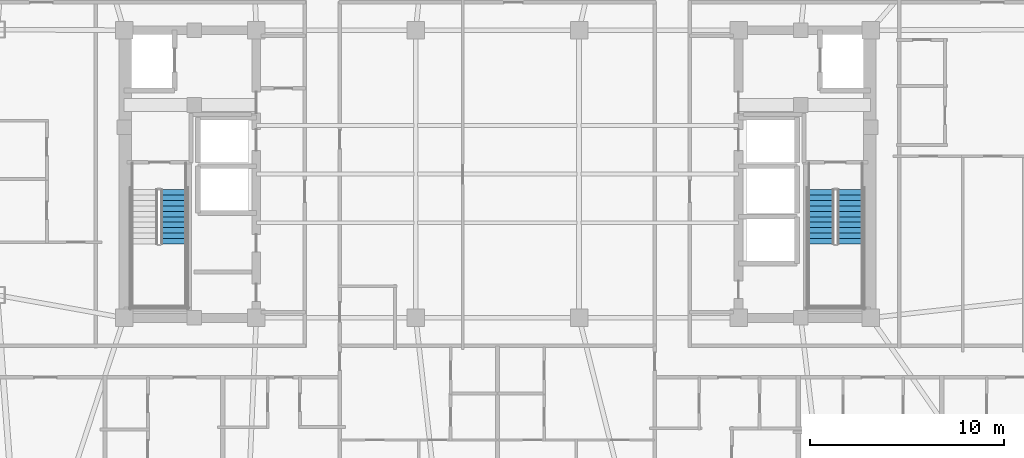
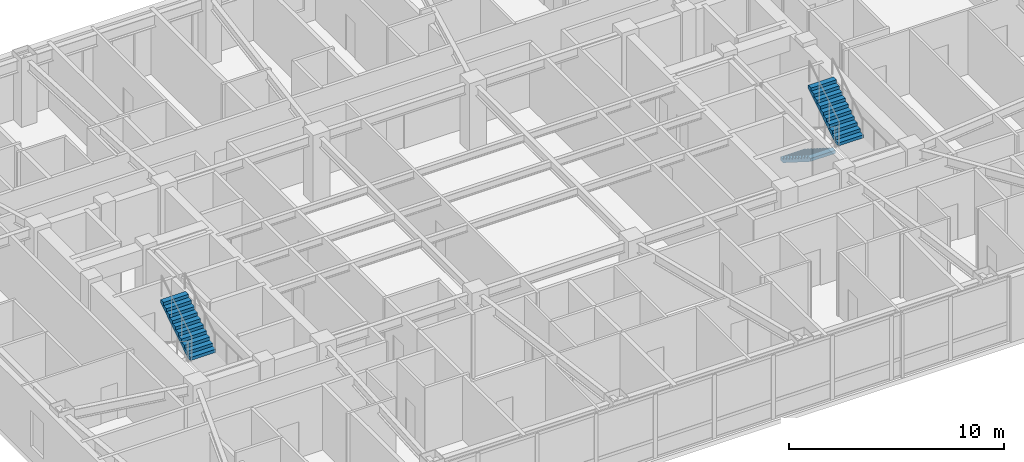
# One storey, part 15 of 17: 3 stair flights, 2 elements without a shape of their own.
"""IFC4 building model written with IfcOpenShell, lengths in metres."""

from ifc_helpers import new_model, si_unit, direction, frame, origin, place, context, subcontext, project, spatial, polyline, outline, extrude, material, type_object, element, aggregate, save


model = new_model("IFC4")

# Units and contexts
model_context = context("Model", 3, precision=1e-05, world=origin(), true_north=direction((0.0, 1.0)))
body_context = subcontext(model_context, "Body", "Model", "MODEL_VIEW")
ifc_project = project(units=[si_unit("LENGTHUNIT", "METRE"), si_unit("AREAUNIT", "SQUARE_METRE"), si_unit("VOLUMEUNIT", "CUBIC_METRE"), si_unit("PLANEANGLEUNIT", "RADIAN"), si_unit("MASSUNIT", "GRAM", prefix="KILO")], contexts=[model_context])

# Site, building, storey
site_placement = place(None, origin())
site = spatial("IfcSite", under=ifc_project, at=site_placement, CompositionType="ELEMENT")
building_placement = place(site_placement, origin())
building = spatial("IfcBuilding", under=site, at=building_placement, Name="Voryun Gate Residences", CompositionType="ELEMENT")
storey_placement = place(building_placement, frame((0.0, 0.0, 204.10009765625)))
storey = spatial("IfcBuildingStorey", under=building, at=storey_placement, Name="L50", CompositionType="ELEMENT", Elevation=204.10009765625)

# Stair, stair flight
ifc_material_1 = material(Name="Concrete C40/50", Category="concrete")
stair_type = type_object("IfcStairType", Name="STR_CORE_DOGLEG_1350", PredefinedType="HALF_TURN_STAIR", material=ifc_material_1)
stair_1_placement = place(storey_placement, origin())
stair_1 = element("IfcStair", 1, at=stair_1_placement, inside=storey, type_object=stair_type, Name="L50 Special Escape Stair ST-W1", PredefinedType="HALF_TURN_STAIR")
ifc_material_2 = material(Name="Concrete C40/50", Category="concrete")
stair_flight_type = type_object("IfcStairFlightType", Name="FLT_CORE_1350", PredefinedType="STRAIGHT", material=ifc_material_2)
stair_flight_1_placement = place(storey_placement, frame((-16.64990234375, -3.60009765625, 1.949951171875), z_axis=(0.0, 0.0, 1.0), x_axis=(0.0, 1.0, 0.0)))
stair_flight_1 = element("IfcStairFlight", 2, at=stair_flight_1_placement, type_object=stair_flight_type, Name="ST-W1 flight 2", NumberOfRisers=11, NumberOfTreads=10, PredefinedType="STRAIGHT", RiserHeight=0.177272727, TreadLength=0.28, context=body_context, shape_type="SweptSolid", body=[
    extrude(outline(polyline([(0.0, 0.0), (0.0, 0.17724609375), (0.280029296875, 0.17724609375), (0.280029296875, 0.3544921875), (0.56005859375, 0.3544921875), (0.56005859375, 0.53173828125), (0.840087890625, 0.53173828125), (0.840087890625, 0.708984375), (1.1201171875, 0.708984375), (1.1201171875, 0.886474609375), (1.39990234375, 0.886474609375), (1.39990234375, 1.063720703125), (1.679931640625, 1.063720703125), (1.679931640625, 1.240966796875), (1.9599609375, 1.240966796875), (1.9599609375, 1.418212890625), (2.239990234375, 1.418212890625), (2.239990234375, 1.595458984375), (2.52001953125, 1.595458984375), (2.52001953125, 1.772705078125), (2.800048828125, 1.772705078125), (2.800048828125, 1.949951171875), (2.800048828125, 1.59521484375), (0.2802734375, 0.0), (0.0, 0.0)])), frame((0.0, 0.675048828125, 0.0), z_axis=(0.0, -1.0, 0.0), x_axis=(1.0, 0.0, 0.0)), (0.0, 0.0, 1.0), 1.35009765625),
])
aggregate(stair_1, [stair_flight_1])

# Stair, stair flights
stair_2_placement = place(storey_placement, origin())
stair_2 = element("IfcStair", 3, at=stair_2_placement, inside=storey, type_object=stair_type, Name="L50 Special Escape Stair ST-E1", PredefinedType="HALF_TURN_STAIR")
stair_flight_2_placement = place(storey_placement, frame((16.64990234375, -0.800048828125, 0.0), z_axis=(0.0, 0.0, 1.0), x_axis=(0.0, -1.0, 0.0)))
stair_flight_2 = element("IfcStairFlight", 4, at=stair_flight_2_placement, type_object=stair_flight_type, Name="ST-E1 flight 1", NumberOfRisers=11, NumberOfTreads=10, PredefinedType="STRAIGHT", RiserHeight=0.177272727, TreadLength=0.28, context=body_context, shape_type="SweptSolid", body=[
    extrude(outline(polyline([(0.0, 0.0), (0.0, 0.17724609375), (0.280029296875, 0.17724609375), (0.280029296875, 0.3544921875), (0.56005859375, 0.3544921875), (0.56005859375, 0.53173828125), (0.840087890625, 0.53173828125), (0.840087890625, 0.708984375), (1.1201171875, 0.708984375), (1.1201171875, 0.886474609375), (1.39990234375, 0.886474609375), (1.39990234375, 1.063720703125), (1.679931640625, 1.063720703125), (1.679931640625, 1.240966796875), (1.9599609375, 1.240966796875), (1.9599609375, 1.418212890625), (2.239990234375, 1.418212890625), (2.239990234375, 1.595458984375), (2.52001953125, 1.595458984375), (2.52001953125, 1.772705078125), (2.800048828125, 1.772705078125), (2.800048828125, 1.949951171875), (2.800048828125, 1.59521484375), (0.2802734375, 0.0), (0.0, 0.0)])), frame((0.0, 0.675048828125, 0.0), z_axis=(0.0, -1.0, 0.0), x_axis=(1.0, 0.0, 0.0)), (0.0, 0.0, 1.0), 1.35009765625),
])
stair_flight_3_placement = place(storey_placement, frame((18.14990234375, -3.60009765625, 1.949951171875), z_axis=(0.0, 0.0, 1.0), x_axis=(0.0, 1.0, 0.0)))
stair_flight_3 = element("IfcStairFlight", 5, at=stair_flight_3_placement, type_object=stair_flight_type, Name="ST-E1 flight 2", NumberOfRisers=11, NumberOfTreads=10, PredefinedType="STRAIGHT", RiserHeight=0.177272727, TreadLength=0.28, context=body_context, shape_type="SweptSolid", body=[
    extrude(outline(polyline([(0.0, 0.0), (0.0, 0.17724609375), (0.280029296875, 0.17724609375), (0.280029296875, 0.3544921875), (0.56005859375, 0.3544921875), (0.56005859375, 0.53173828125), (0.840087890625, 0.53173828125), (0.840087890625, 0.708984375), (1.1201171875, 0.708984375), (1.1201171875, 0.886474609375), (1.39990234375, 0.886474609375), (1.39990234375, 1.063720703125), (1.679931640625, 1.063720703125), (1.679931640625, 1.240966796875), (1.9599609375, 1.240966796875), (1.9599609375, 1.418212890625), (2.239990234375, 1.418212890625), (2.239990234375, 1.595458984375), (2.52001953125, 1.595458984375), (2.52001953125, 1.772705078125), (2.800048828125, 1.772705078125), (2.800048828125, 1.949951171875), (2.800048828125, 1.59521484375), (0.2802734375, 0.0), (0.0, 0.0)])), frame((0.0, 0.675048828125, 0.0), z_axis=(0.0, -1.0, 0.0), x_axis=(1.0, 0.0, 0.0)), (0.0, 0.0, 1.0), 1.35009765625),
])
aggregate(stair_2, [stair_flight_2, stair_flight_3])

save(model, "model.ifc")
